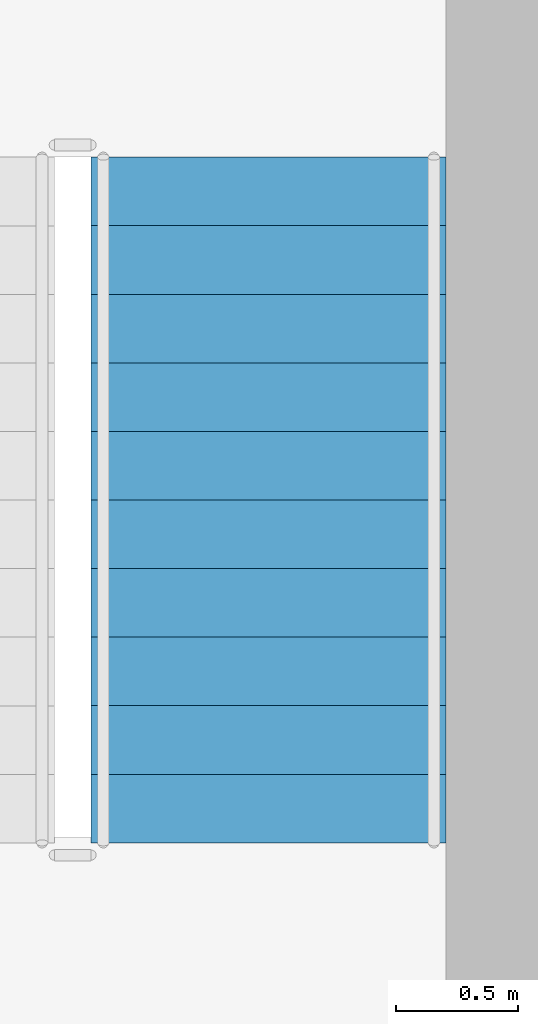
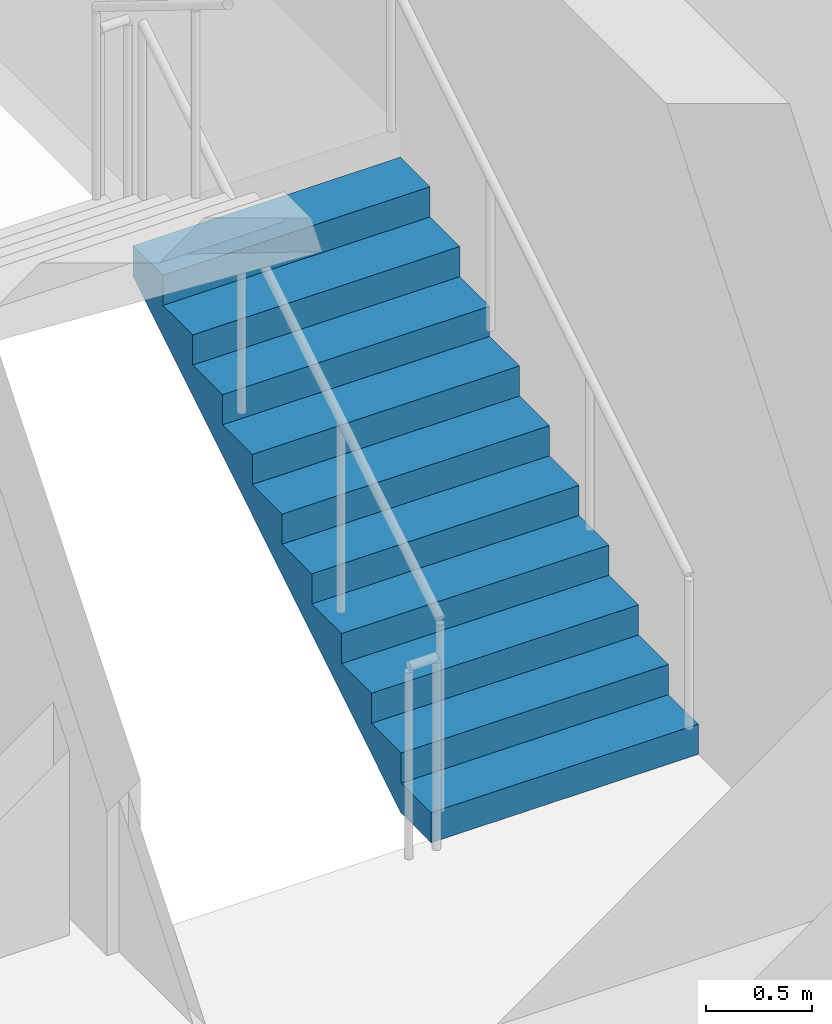
# One storey, part 33 of 36: 1 stair flight, 1 element without a shape of its own.
"""IFC4 building model written with IfcOpenShell, lengths in metres."""

from ifc_helpers import new_model, si_unit, direction, frame, origin, place, context, subcontext, project, spatial, polyline, outline, extrude, material, type_object, element, aggregate, save


model = new_model("IFC4")

# Units and contexts
model_context = context("Model", 3, precision=1e-05, world=origin(), true_north=direction((0.0, 1.0)))
body_context = subcontext(model_context, "Body", "Model", "MODEL_VIEW")
ifc_project = project(units=[si_unit("LENGTHUNIT", "METRE"), si_unit("AREAUNIT", "SQUARE_METRE"), si_unit("VOLUMEUNIT", "CUBIC_METRE"), si_unit("PLANEANGLEUNIT", "RADIAN"), si_unit("MASSUNIT", "GRAM", prefix="KILO")], contexts=[model_context])

# Site, building, storey
site_placement = place(None, origin())
site = spatial("IfcSite", under=ifc_project, at=site_placement, CompositionType="ELEMENT")
building_placement = place(site_placement, origin())
building = spatial("IfcBuilding", under=site, at=building_placement, Name="Saevonmaru Cultural Tower", CompositionType="ELEMENT")
storey_placement = place(building_placement, frame((0.0, 0.0, 171.39990234375)))
storey = spatial("IfcBuildingStorey", under=building, at=storey_placement, Name="L38", CompositionType="ELEMENT", Elevation=171.39990234375)

# Stair, stair flight
ifc_material_1 = material(Name="Concrete C40/50", Category="concrete")
stair_type = type_object("IfcStairType", Name="STR-DOGLEG-RC", PredefinedType="HALF_TURN_STAIR", material=ifc_material_1)
stair_placement = place(storey_placement, origin())
stair = element("IfcStair", 1, at=stair_placement, inside=storey, type_object=stair_type, Name="L38 Protected exit stair ST-2", PredefinedType="HALF_TURN_STAIR")
ifc_material_2 = material(Name="Precast concrete C40/50", Category="concrete")
stair_flight_type = type_object("IfcStairFlightType", Name="STF-PRECAST-180", PredefinedType="STRAIGHT", material=ifc_material_2)
stair_flight_placement = place(storey_placement, frame((45.074951171875, 44.85009765625, 0.0), z_axis=(0.0, 0.0, 1.0), x_axis=(0.0, 1.0, 0.0)))
stair_flight = element("IfcStairFlight", 2, at=stair_flight_placement, type_object=stair_flight_type, Name="ST-2-L38 flight 1", NumberOfRisers=11, NumberOfTreads=10, PredefinedType="STRAIGHT", RiserHeight=0.172727273, TreadLength=0.28, context=body_context, shape_type="SweptSolid", body=[
    extrude(outline(polyline([(0.0, 0.0), (0.0, 0.172607421875), (0.280029296875, 0.172607421875), (0.280029296875, 0.345458984375), (0.56005859375, 0.345458984375), (0.56005859375, 0.51806640625), (0.840087890625, 0.51806640625), (0.840087890625, 0.69091796875), (1.1201171875, 0.69091796875), (1.1201171875, 0.863525390625), (1.39990234375, 0.863525390625), (1.39990234375, 1.036376953125), (1.679931640625, 1.036376953125), (1.679931640625, 1.208984375), (1.9599609375, 1.208984375), (1.9599609375, 1.3818359375), (2.239990234375, 1.3818359375), (2.239990234375, 1.554443359375), (2.52001953125, 1.554443359375), (2.52001953125, 1.727294921875), (2.800048828125, 1.727294921875), (2.800048828125, 1.89990234375), (2.800048828125, 1.551025390625), (0.285400390625, 0.0), (0.0, 0.0)])), frame((0.0, 0.72509765625, 0.0), z_axis=(0.0, -1.0, 0.0), x_axis=(1.0, 0.0, 0.0)), (0.0, 0.0, 1.0), 1.449951171875),
])
aggregate(stair, [stair_flight])

save(model, "model.ifc")
